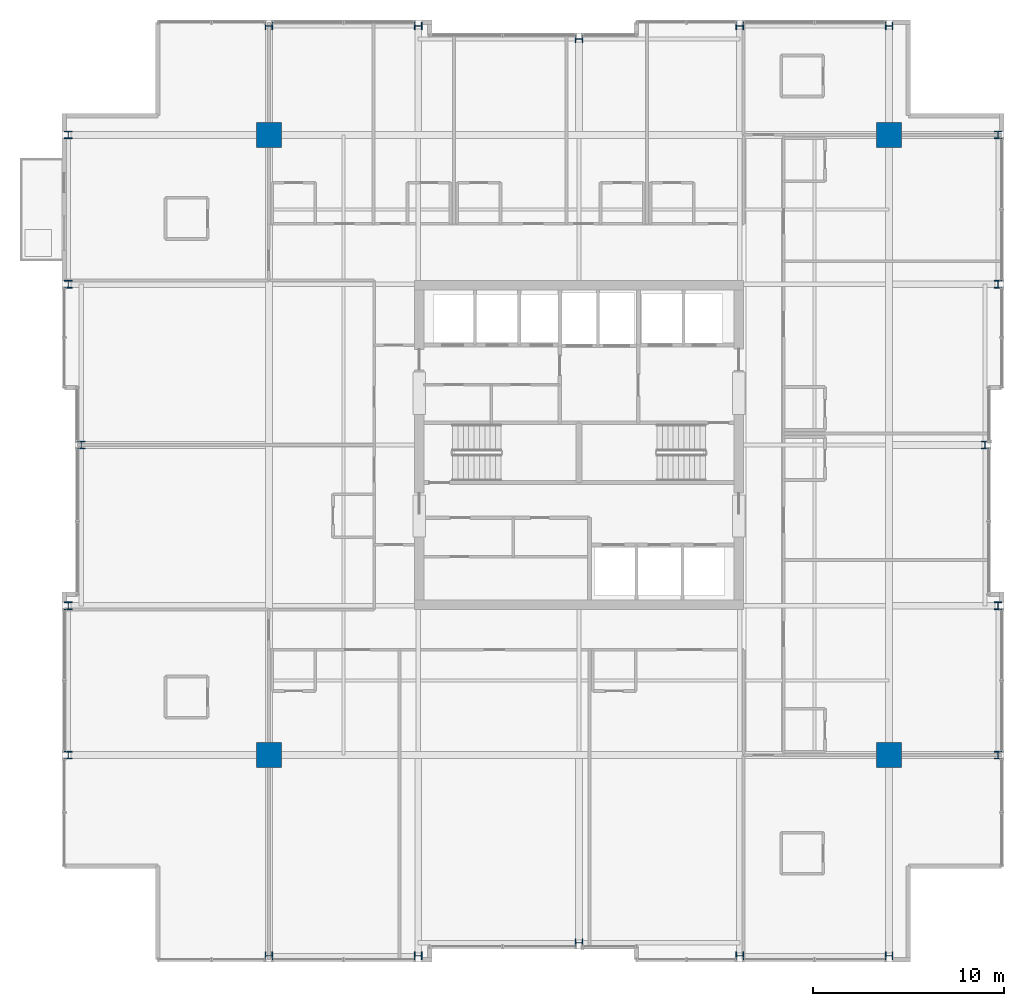
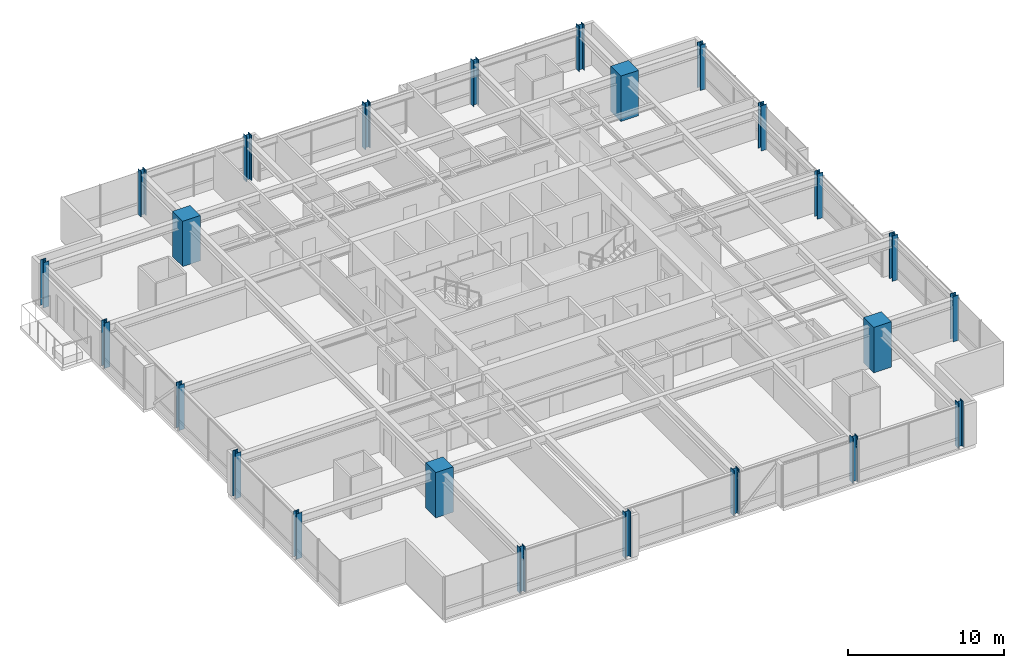
# One storey, part 1 of 32: 24 columns.
"""IFC4 building model written with IfcOpenShell, lengths in metres."""

from ifc_helpers import new_model, si_unit, direction, frame, origin, origin_2d, place, context, subcontext, project, spatial, rectangle, i_section, extrude, material, material_profile, profile_set, type_object, element, save


model = new_model("IFC4")

# Units and contexts
model_context = context("Model", 3, precision=1e-05, world=origin(), true_north=direction((0.0, 1.0)))
body_context = subcontext(model_context, "Body", "Model", "MODEL_VIEW")
ifc_project = project(units=[si_unit("LENGTHUNIT", "METRE"), si_unit("AREAUNIT", "SQUARE_METRE"), si_unit("VOLUMEUNIT", "CUBIC_METRE"), si_unit("PLANEANGLEUNIT", "RADIAN"), si_unit("MASSUNIT", "GRAM", prefix="KILO")], contexts=[model_context])

# Site, building, storey
site_placement = place(None, origin())
site = spatial("IfcSite", under=ifc_project, at=site_placement, CompositionType="ELEMENT")
building_placement = place(site_placement, origin())
building = spatial("IfcBuilding", under=site, at=building_placement, Name="Drelvath Grand Hotel", CompositionType="ELEMENT")
storey_placement = place(building_placement, frame((0.0, 0.0, 182.35009765625)))
storey = spatial("IfcBuildingStorey", under=building, at=storey_placement, Name="L47", CompositionType="ELEMENT", Elevation=182.35009765625)

# Columns
ifc_material_1 = material(Name="Concrete f'c 55 MPa", Category="concrete")
ifc_material_profile_1 = material_profile(ifc_material_1, rectangle(XDim=1.300048828125, YDim=1.300048828125, at=origin_2d()), Name="MC1300X1300")
ifc_profile_set_1 = profile_set([ifc_material_profile_1], Name="Concrete f'c 55 MPa")
column_type_1 = type_object("IfcColumnType", Name="Composite Mega Column MC1300X1300", PredefinedType="COLUMN", material=ifc_profile_set_1)
for number, where, z_axis, x_axis, name in (
    (1, (-16.199951171875, 10.800048828125, 0.0), (0.0, 0.0, 1.0), (1.0, 0.0, 0.0), "L47 Composite Mega Column MC-SW"),
    (2, (16.199951171875, 10.800048828125, 0.0), (0.0, 0.0, 1.0), (1.0, 0.0, 0.0), "L47 Composite Mega Column MC-SE"),
    (3, (-16.199951171875, 43.199951171875, 0.0), (0.0, 0.0, 1.0), (1.0, 0.0, 0.0), "L47 Composite Mega Column MC-NW"),
    (4, (16.199951171875, 43.199951171875, 0.0), (0.0, 0.0, 1.0), (1.0, 0.0, 0.0), "L47 Composite Mega Column MC-NE"),
):
    element("IfcColumn", number, at=place(storey_placement, frame(where, z_axis=z_axis, x_axis=x_axis)), inside=storey, type_object=column_type_1, Name=name, PredefinedType="COLUMN", context=body_context, shape_type="SweptSolid", body=[
        extrude(rectangle(XDim=1.300048828125, YDim=1.300048828125, at=origin_2d()), origin(), (0.0, 0.0, 1.0), 3.5498046875),
    ])
ifc_material_2 = material(Name="Steel ASTM A913 Gr 65", Category="steel")
ifc_material_profile_2 = material_profile(ifc_material_2, i_section(OverallWidth=0.4013671875, OverallDepth=0.3994140625, WebThickness=0.02490234375, FlangeThickness=0.03955078125, FilletRadius=0.02490234375, at=origin_2d()), Name="W14X211")
ifc_profile_set_2 = profile_set([ifc_material_profile_2], Name="Steel ASTM A913 Gr 65")
column_type_2 = type_object("IfcColumnType", Name="Perimeter Steel Column W14X211", PredefinedType="COLUMN", material=ifc_profile_set_2)
for number, where, z_axis, x_axis, name in (
    (5, (-26.679931640625, 10.800048828125, 0.0), (0.0, 0.0, 1.0), (1.0, 0.0, 0.0), "L47 Structural Column TCW-C"),
    (6, (21.8798828125, 10.800048828125, 0.0), (0.0, 0.0, 1.0), (1.0, 0.0, 0.0), "L47 Structural Column TCE-C"),
    (7, (-26.679931640625, 18.60009765625, 0.0), (0.0, 0.0, 1.0), (1.0, 0.0, 0.0), "L47 Structural Column TCW-D"),
    (8, (21.8798828125, 18.60009765625, 0.0), (0.0, 0.0, 1.0), (1.0, 0.0, 0.0), "L47 Structural Column TCE-D"),
    (9, (-26.0, 27.0, 0.0), (0.0, 0.0, 1.0), (1.0, 0.0, 0.0), "L47 Structural Column TCW-E"),
    (10, (21.199951171875, 27.0, 0.0), (0.0, 0.0, 1.0), (1.0, 0.0, 0.0), "L47 Structural Column TCE-E"),
    (11, (-26.679931640625, 35.39990234375, 0.0), (0.0, 0.0, 1.0), (1.0, 0.0, 0.0), "L47 Structural Column TCW-F"),
    (12, (21.8798828125, 35.39990234375, 0.0), (0.0, 0.0, 1.0), (1.0, 0.0, 0.0), "L47 Structural Column TCE-F"),
    (13, (-26.679931640625, 43.199951171875, 0.0), (0.0, 0.0, 1.0), (1.0, 0.0, 0.0), "L47 Structural Column TCW-G"),
    (14, (21.8798828125, 43.199951171875, 0.0), (0.0, 0.0, 1.0), (1.0, 0.0, 0.0), "L47 Structural Column TCE-G"),
    (15, (-16.199951171875, 0.320068359375, 0.0), (0.0, 0.0, 1.0), (0.0, 1.0, 0.0), "L47 Structural Column TCS-3"),
    (16, (-16.199951171875, 48.8798828125, 0.0), (0.0, 0.0, 1.0), (0.0, 1.0, 0.0), "L47 Structural Column TCN-3"),
    (17, (-8.39990234375, 0.320068359375, 0.0), (0.0, 0.0, 1.0), (0.0, 1.0, 0.0), "L47 Structural Column TCS-4"),
    (18, (-8.39990234375, 48.8798828125, 0.0), (0.0, 0.0, 1.0), (0.0, 1.0, 0.0), "L47 Structural Column TCN-4"),
    (19, (0.0, 1.0, 0.0), (0.0, 0.0, 1.0), (0.0, 1.0, 0.0), "L47 Structural Column TCS-5"),
    (20, (0.0, 48.199951171875, 0.0), (0.0, 0.0, 1.0), (0.0, 1.0, 0.0), "L47 Structural Column TCN-5"),
    (21, (8.39990234375, 0.320068359375, 0.0), (0.0, 0.0, 1.0), (0.0, 1.0, 0.0), "L47 Structural Column TCS-6"),
    (22, (8.39990234375, 48.8798828125, 0.0), (0.0, 0.0, 1.0), (0.0, 1.0, 0.0), "L47 Structural Column TCN-6"),
    (23, (16.199951171875, 0.320068359375, 0.0), (0.0, 0.0, 1.0), (0.0, 1.0, 0.0), "L47 Structural Column TCS-7"),
    (24, (16.199951171875, 48.8798828125, 0.0), (0.0, 0.0, 1.0), (0.0, 1.0, 0.0), "L47 Structural Column TCN-7"),
):
    element("IfcColumn", number, at=place(storey_placement, frame(where, z_axis=z_axis, x_axis=x_axis)), inside=storey, type_object=column_type_2, Name=name, PredefinedType="COLUMN", context=body_context, shape_type="SweptSolid", body=[
        extrude(i_section(OverallWidth=0.4013671875, OverallDepth=0.3994140625, WebThickness=0.02490234375, FlangeThickness=0.03955078125, FilletRadius=0.02490234375, at=origin_2d()), origin(), (0.0, 0.0, 1.0), 3.546875),
    ])

save(model, "model.ifc")
